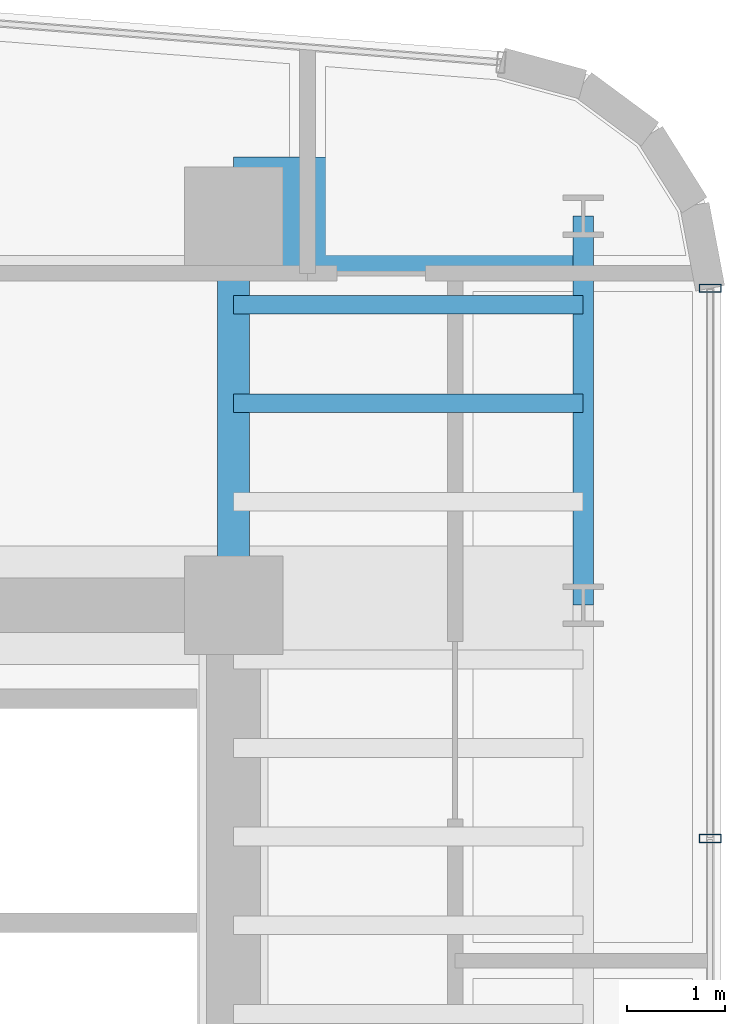
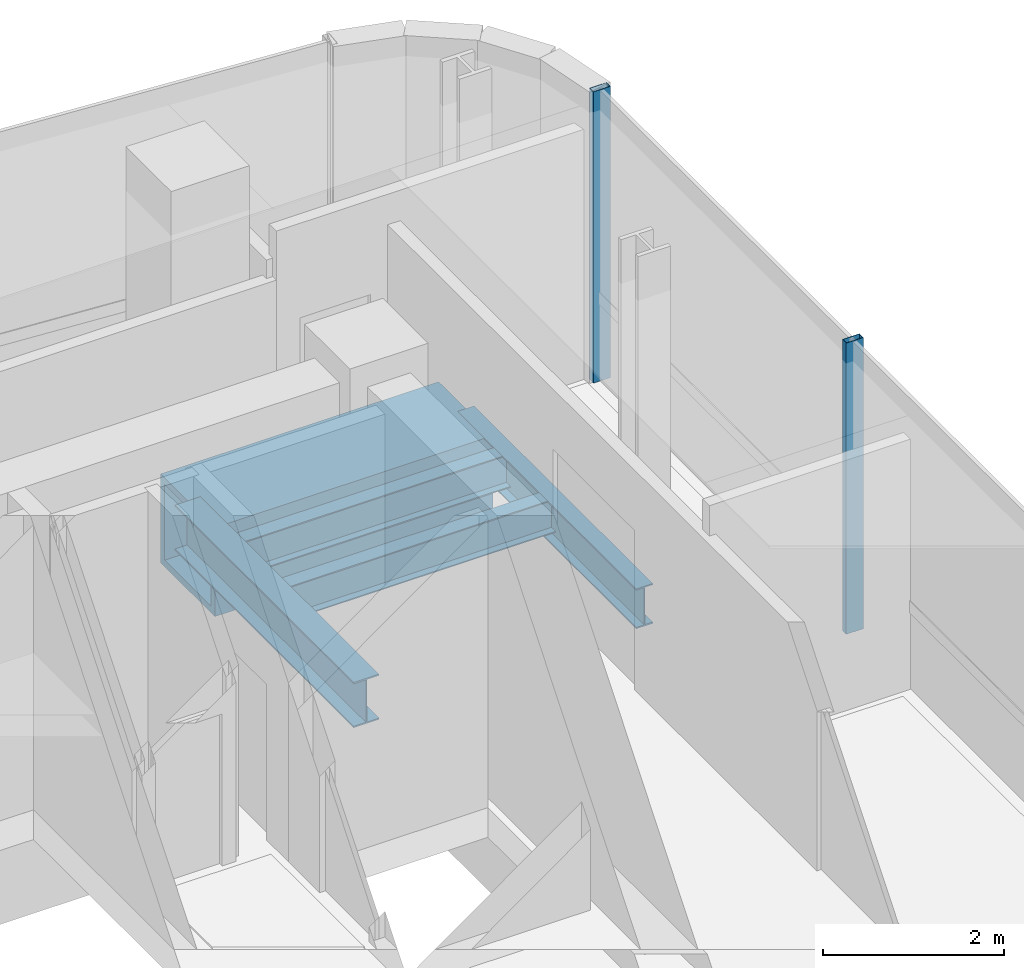
# One storey, part 16 of 37: 5 beams, 2 members, 1 element without a shape of its own.
"""IFC4 building model written with IfcOpenShell, lengths in metres."""

from ifc_helpers import new_model, si_unit, direction, frame, origin, origin_2d, place, context, subcontext, project, spatial, hollow_rectangle, i_section, extrude, source, transform, mapped, material, material_profile, profile_set, type_object, element, aggregate, save


model = new_model("IFC4")

# Units and contexts
model_context = context("Model", 3, precision=1e-05, world=origin(), true_north=direction((0.0, 1.0)))
body_context = subcontext(model_context, "Body", "Model", "MODEL_VIEW")
ifc_project = project(units=[si_unit("LENGTHUNIT", "METRE"), si_unit("AREAUNIT", "SQUARE_METRE"), si_unit("VOLUMEUNIT", "CUBIC_METRE"), si_unit("PLANEANGLEUNIT", "RADIAN"), si_unit("MASSUNIT", "GRAM", prefix="KILO")], contexts=[model_context])

# Site, building, storey
site_placement = place(None, origin())
site = spatial("IfcSite", under=ifc_project, at=site_placement, CompositionType="ELEMENT")
building_placement = place(site_placement, origin())
building = spatial("IfcBuilding", under=site, at=building_placement, Name="Valdorenza Pilgrim Sanctuary Tower", CompositionType="ELEMENT")
storey_placement = place(building_placement, frame((0.0, 0.0, 172.300048828125)))
storey = spatial("IfcBuildingStorey", under=building, at=storey_placement, Name="L44", CompositionType="ELEMENT", Elevation=172.300048828125)

# Beams
ifc_material_1 = material(Name="Steel ASTM A992 Grade 50", Category="steel")
ifc_material_profile_1 = material_profile(ifc_material_1, i_section(OverallWidth=0.323974609375, OverallDepth=0.611083984375, WebThickness=0.0126953125, FlangeThickness=0.01904296875, at=origin_2d()), Name="W24X104")
ifc_profile_set_1 = profile_set([ifc_material_profile_1], Name="Steel ASTM A992 Grade 50")
beam_type_1 = type_object("IfcBeamType", Name="STR-BM-GRD-W24B", PredefinedType="BEAM", material=ifc_profile_set_1)
shared_shape_1 = source(origin(), body_context, "Body", "SweptSolid", [
    extrude(i_section(OverallWidth=0.323974609375, OverallDepth=0.611083984375, WebThickness=0.0126953125, FlangeThickness=0.01904296875, at=origin_2d()), origin(), (0.0, 0.0, 1.0), 3.949951171875),
])
beam_1_placement = place(storey_placement, frame((24.85009765625, 9.550048828125, -0.70556640625), z_axis=(0.0, 1.0, 0.0), x_axis=(-1.0, 0.0, 0.0)))
element("IfcBeam", 1, at=beam_1_placement, inside=storey, type_object=beam_type_1, Name="L44 Core Tie Girder CB-E-N1N2", PredefinedType="BEAM", context=body_context, shape_type="MappedRepresentation", body=[
    mapped(shared_shape_1, transform((0.0, 0.0, 0.0), x_axis=(1.0, 0.0, 0.0), y_axis=(0.0, 1.0, 0.0), z_axis=(0.0, 0.0, 1.0), scale=1.0)),
])
ifc_material_2 = material(Name="Steel ASTM A572 Grade 42", Category="steel")
ifc_material_profile_2 = material_profile(ifc_material_2, hollow_rectangle(XDim=1.199951171875, YDim=1.199951171875, WallThickness=0.090087890625, at=origin_2d()), Name="BOX 1200x1200x90")
ifc_profile_set_2 = profile_set([ifc_material_profile_2], Name="Steel ASTM A572 Grade 42")
beam_type_2 = type_object("IfcBeamType", Name="STR-BM-TRF-1200", PredefinedType="BEAM", material=ifc_profile_set_2)
shared_shape_2 = source(origin(), body_context, "Body", "SweptSolid", [
    extrude(hollow_rectangle(XDim=1.199951171875, YDim=1.199951171875, WallThickness=0.090087890625, at=origin_2d()), origin(), (0.0, 0.0, 1.0), 3.5498046875),
])
beam_2_placement = place(storey_placement, frame((24.85009765625, 13.5, -1.0), z_axis=(1.0, 0.0, 0.0), x_axis=(0.0, 1.0, 0.0)))
element("IfcBeam", 2, at=beam_2_placement, inside=storey, type_object=beam_type_2, Name="L44 Transfer Girder WB-XE-N2", PredefinedType="BEAM", context=body_context, shape_type="MappedRepresentation", body=[
    mapped(shared_shape_2, transform((0.0, 0.0, 0.0), x_axis=(1.0, 0.0, 0.0), y_axis=(0.0, 1.0, 0.0), z_axis=(0.0, 0.0, 1.0), scale=1.0)),
])
ifc_material_profile_3 = material_profile(ifc_material_1, i_section(OverallWidth=0.19091796875, OverallDepth=0.45703125, WebThickness=0.009033203125, FlangeThickness=0.014404296875, at=origin_2d()), Name="W18X50")
ifc_profile_set_3 = profile_set([ifc_material_profile_3], Name="Steel ASTM A992 Grade 50")
beam_type_3 = type_object("IfcBeamType", Name="STR-BM-JST-W18B", PredefinedType="JOIST", material=ifc_profile_set_3)
shared_shape_3 = source(origin(), body_context, "Body", "SweptSolid", [
    extrude(i_section(OverallWidth=0.19091796875, OverallDepth=0.45703125, WebThickness=0.009033203125, FlangeThickness=0.014404296875, at=origin_2d()), origin(), (0.0, 0.0, 1.0), 3.5498046875),
])
for number, where, z_axis, x_axis, name in (
    (3, (24.85009765625, 11.60009765625, -0.628662109375), (1.0, 0.0, 0.0), (0.0, 1.0, 0.0), "L44 Composite Floor Joist JST-WB-20"),
    (4, (24.85009765625, 12.60009765625, -0.628662109375), (1.0, 0.0, 0.0), (0.0, 1.0, 0.0), "L44 Composite Floor Joist JST-WB-21"),
):
    element("IfcBeam", number, at=place(storey_placement, frame(where, z_axis=z_axis, x_axis=x_axis)), inside=storey, type_object=beam_type_3, Name=name, PredefinedType="JOIST", context=body_context, shape_type="MappedRepresentation", body=[
        mapped(shared_shape_3, transform((0.0, 0.0, 0.0), x_axis=(1.0, 0.0, 0.0), y_axis=(0.0, 1.0, 0.0), z_axis=(0.0, 0.0, 1.0), scale=1.0)),
    ])
ifc_material_profile_4 = material_profile(ifc_material_1, i_section(OverallWidth=0.2109375, OverallDepth=0.5390625, WebThickness=0.01171875, FlangeThickness=0.018798828125, at=origin_2d()), Name="W21X73")
ifc_profile_set_4 = profile_set([ifc_material_profile_4], Name="Steel ASTM A992 Grade 50")
beam_type_4 = type_object("IfcBeamType", Name="STR-BM-SPN-W21B", PredefinedType="SPANDREL", material=ifc_profile_set_4)
shared_shape_4 = source(origin(), body_context, "Body", "SweptSolid", [
    extrude(i_section(OverallWidth=0.2109375, OverallDepth=0.5390625, WebThickness=0.01171875, FlangeThickness=0.018798828125, at=origin_2d()), origin(), (0.0, 0.0, 1.0), 3.949951171875),
])
beam_3_placement = place(storey_placement, frame((28.39990234375, 9.550048828125, -0.66943359375), z_axis=(0.0, 1.0, 0.0), x_axis=(-1.0, 0.0, 0.0)))
element("IfcBeam", 5, at=beam_3_placement, inside=storey, type_object=beam_type_4, Name="L44 Spandrel Beam WB-E-N1N2", PredefinedType="SPANDREL", context=body_context, shape_type="MappedRepresentation", body=[
    mapped(shared_shape_4, transform((0.0, 0.0, 0.0), x_axis=(1.0, 0.0, 0.0), y_axis=(0.0, 1.0, 0.0), z_axis=(0.0, 0.0, 1.0), scale=1.0)),
])

# Curtain wall, members
ifc_material_3 = material(Name="Curtain-wall IGU glazing", Category="glass")
curtain_wall_type = type_object("IfcCurtainWallType", Name="CW-SYS-03", PredefinedType="NOTDEFINED", material=ifc_material_3)
curtain_wall_placement = place(storey_placement, origin())
curtain_wall = element("IfcCurtainWall", 6, at=curtain_wall_placement, inside=storey, type_object=curtain_wall_type, Name="L44 Curtain Wall CW-L44-1-37", PredefinedType="NOTDEFINED")
ifc_material_4 = material(Name="Anodised aluminium AW-6060", Category="aluminium")
ifc_material_profile_5 = material_profile(ifc_material_4, hollow_rectangle(XDim=0.0849609375, YDim=0.219970703125, WallThickness=0.0048828125, at=origin_2d()), Name="ALU-M 220x85x5")
ifc_profile_set_5 = profile_set([ifc_material_profile_5], Name="Anodised aluminium AW-6060")
member_type = type_object("IfcMemberType", Name="CW-MUL-03", PredefinedType="MULLION", material=ifc_profile_set_5)
shared_shape_5 = source(origin(), body_context, "Body", "SweptSolid", [
    extrude(hollow_rectangle(XDim=0.0849609375, YDim=0.219970703125, WallThickness=0.0048828125, at=origin_2d()), origin(), (0.0, 0.0, 1.0), 3.929931640625),
])
member_1_placement = place(storey_placement, frame((29.68994140625, 12.768310546875, 0.0), z_axis=(0.0, 0.0, 1.0), x_axis=(0.0, -1.0, 0.0)))
member_1 = element("IfcMember", 7, at=member_1_placement, type_object=member_type, Name="CW-L44-1-37 Mullion 1", PredefinedType="MULLION", context=body_context, shape_type="MappedRepresentation", body=[
    mapped(shared_shape_5, transform((0.0, 0.0, 0.0), x_axis=(1.0, 0.0, 0.0), y_axis=(0.0, 1.0, 0.0), z_axis=(0.0, 0.0, 1.0), scale=1.0)),
])
member_2_placement = place(storey_placement, frame((29.68994140625, 7.178955078125, 0.0), z_axis=(0.0, 0.0, 1.0), x_axis=(0.0, -1.0, 0.0)))
member_2 = element("IfcMember", 8, at=member_2_placement, type_object=member_type, Name="CW-L44-1-37 Mullion 2", PredefinedType="MULLION", context=body_context, shape_type="MappedRepresentation", body=[
    mapped(shared_shape_5, transform((0.0, 0.0, 0.0), x_axis=(1.0, 0.0, 0.0), y_axis=(0.0, 1.0, 0.0), z_axis=(0.0, 0.0, 1.0), scale=1.0)),
])
aggregate(curtain_wall, [member_1, member_2])

save(model, "model.ifc")
